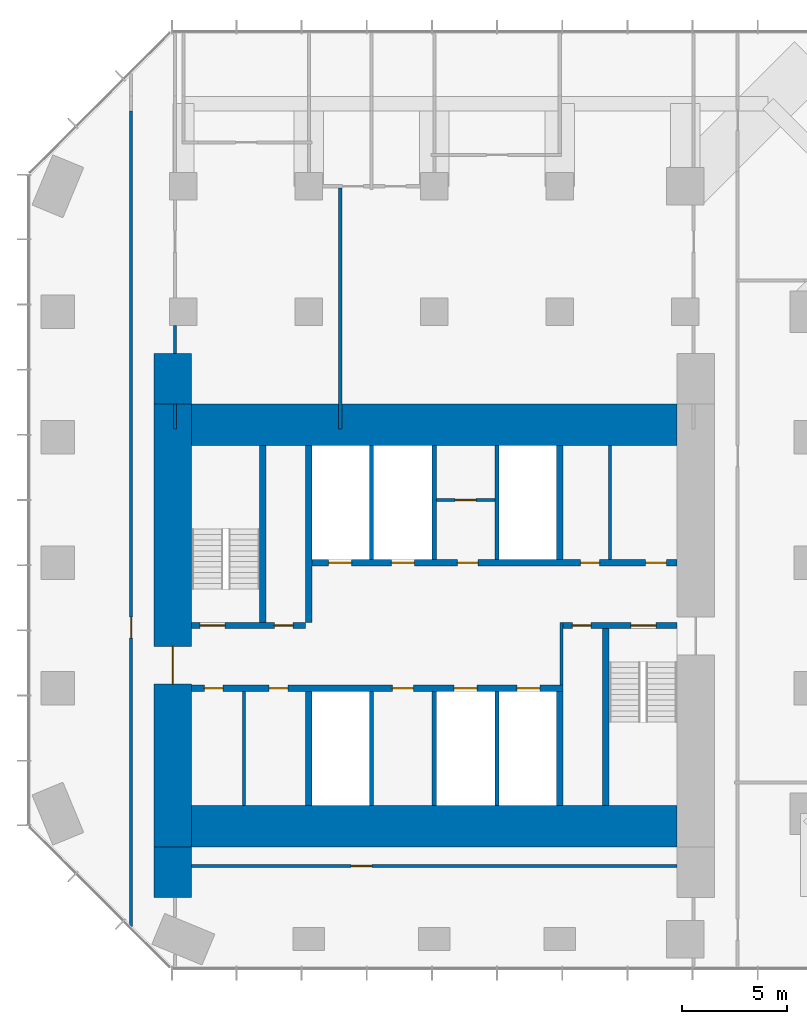
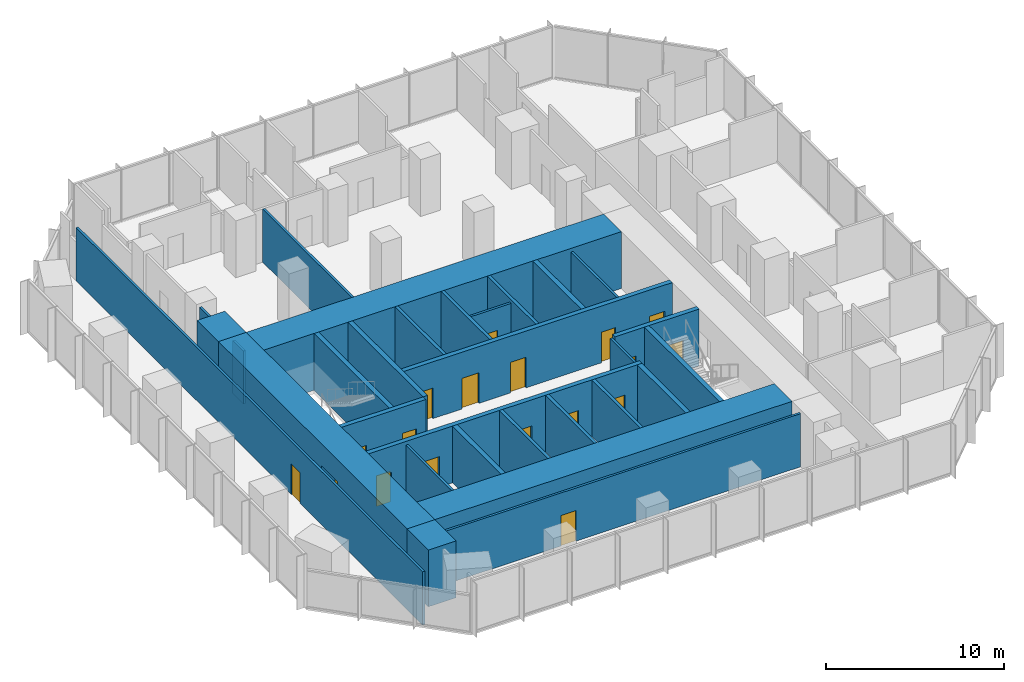
# One storey, part 8 of 11: 30 walls, 18 doors, 18 openings.
"""IFC4 building model written with IfcOpenShell, lengths in metres."""

from ifc_helpers import new_model, si_unit, direction, frame, frame_2d, origin, place, context, subcontext, project, spatial, rectangle, extrude, material, layer, layer_set, type_object, element, fill, save


model = new_model("IFC4")

# Units and contexts
model_context = context("Model", 3, precision=1e-05, world=origin(), true_north=direction((0.0, 1.0)))
body_context = subcontext(model_context, "Body", "Model", "MODEL_VIEW")
ifc_project = project(units=[si_unit("LENGTHUNIT", "METRE"), si_unit("AREAUNIT", "SQUARE_METRE"), si_unit("VOLUMEUNIT", "CUBIC_METRE"), si_unit("PLANEANGLEUNIT", "RADIAN"), si_unit("MASSUNIT", "GRAM", prefix="KILO")], contexts=[model_context])

# Site, building, storey
site_placement = place(None, origin())
site = spatial("IfcSite", under=ifc_project, at=site_placement, CompositionType="ELEMENT")
building_placement = place(site_placement, origin())
building = spatial("IfcBuilding", under=site, at=building_placement, Name="Highveld Stack Headquarters", CompositionType="ELEMENT")
storey_placement = place(building_placement, frame((0.0, 0.0, 185.0)))
storey = spatial("IfcBuildingStorey", under=building, at=storey_placement, Name="L45", CompositionType="ELEMENT", Elevation=185.0)

# Wall, opening, door
ifc_material_1 = material(Name="Concrete C60/75", Category="concrete")
ifc_layer_1 = layer(ifc_material_1, 1.800048828125)
ifc_layer_set_1 = layer_set([ifc_layer_1], Name="Concrete C60/75")
wall_type_1 = type_object("IfcWallType", Name="CORE WALL 1800 C60/75", PredefinedType="SHEAR", material=ifc_layer_set_1)
wall_1_placement = place(storey_placement, frame((-6.5, -7.60009765625, 0.0), z_axis=(0.0, 0.0, 1.0), x_axis=(0.0, 1.0, 0.0)))
wall_1 = element("IfcWall", 1, at=wall_1_placement, inside=storey, type_object=wall_type_1, Name="Core wall W L45", PredefinedType="SHEAR", context=body_context, shape_type="SweptSolid", body=[
    extrude(rectangle(XDim=21.2001953125, YDim=1.800048828125, at=frame_2d((10.60009765625, 0.0))), origin(), (0.0, 0.0, 1.0), 3.89990234375),
])
opening_1_placement = place(wall_1_placement, frame((7.800048828125, 0.0, 0.0)))
opening_1 = element("IfcOpeningElement", 2, at=opening_1_placement, cuts=wall_1, Name="Opening L45-01", PredefinedType="OPENING", context=body_context, shape_type="SweptSolid", body=[
    extrude(rectangle(XDim=1.800048828125, YDim=2.39990234375, at=frame_2d((0.89990234375, 1.199951171875))), frame((0.0, 0.909912109375, 0.0), z_axis=(0.0, -1.0, 0.0), x_axis=(1.0, 0.0, 0.0)), (0.0, 0.0, 1.0), 1.820068359375),
])
ifc_material_2 = material(Name="Steel fire door", Category="steel")
door_type_1 = type_object("IfcDoorType", Name="LOBBY FIRE DOOR D4 1800x2400", OperationType="DOUBLE_DOOR_SINGLE_SWING", PredefinedType="DOOR", material=ifc_material_2)
door_1_placement = place(opening_1_placement, origin())
door_1 = element("IfcDoor", 3, at=door_1_placement, inside=storey, type_object=door_type_1, Name="Core west door L45", OperationType="DOUBLE_DOOR_SINGLE_SWING", OverallHeight=2.39990234375, OverallWidth=1.800048828125, PredefinedType="DOOR", context=body_context, shape_type="SweptSolid", body=[
    extrude(rectangle(XDim=1.800048828125, YDim=2.39990234375, at=frame_2d((0.89990234375, 1.199951171875))), frame((0.0, 0.02490234375, 0.0), z_axis=(0.0, -1.0, 0.0), x_axis=(1.0, 0.0, 0.0)), (0.0, 0.0, 1.0), 0.050048828125),
])
fill(opening_1, door_1)

# Walls
ifc_material_3 = material(Name="Concrete C60/75", Category="concrete")
ifc_layer_2 = layer(ifc_material_3, 2.0)
ifc_layer_set_2 = layer_set([ifc_layer_2], Name="Concrete C60/75")
wall_type_2 = type_object("IfcWallType", Name="CORE WALL 2000 C60/75", PredefinedType="SHEAR", material=ifc_layer_set_2)
for number, where, z_axis, x_axis, name in (
    (4, (-5.60009765625, -6.60009765625, 0.0), (0.0, 0.0, 1.0), (1.0, 0.0, 0.0), "Core wall S L45"),
    (5, (-5.60009765625, 12.60009765625, 0.0), (0.0, 0.0, 1.0), (1.0, 0.0, 0.0), "Core wall N L45"),
):
    element("IfcWall", number, at=place(storey_placement, frame(where, z_axis=z_axis, x_axis=x_axis)), inside=storey, type_object=wall_type_2, Name=name, PredefinedType="SHEAR", context=body_context, shape_type="SweptSolid", body=[
        extrude(rectangle(XDim=23.2001953125, YDim=2.0, at=frame_2d((11.60009765625, 0.0))), origin(), (0.0, 0.0, 1.0), 3.89990234375),
    ])

# Wall, openings, doors
ifc_material_4 = material(Name="Concrete C60/75", Category="concrete")
ifc_layer_3 = layer(ifc_material_4, 0.300048828125)
ifc_layer_set_3 = layer_set([ifc_layer_3], Name="Concrete C60/75")
wall_type_3 = type_object("IfcWallType", Name="CORE WALL 300 C60/75", PredefinedType="SHEAR", material=ifc_layer_set_3)
wall_2_placement = place(storey_placement, frame((-5.60009765625, 0.0, 0.0), z_axis=(0.0, 0.0, 1.0), x_axis=(1.0, 0.0, 0.0)))
wall_2 = element("IfcWall", 6, at=wall_2_placement, inside=storey, type_object=wall_type_3, Name="Core wall I-Y0 L45", PredefinedType="SHEAR", context=body_context, shape_type="SweptSolid", body=[
    extrude(rectangle(XDim=17.75, YDim=0.300048828125, at=frame_2d((8.875, 0.0))), origin(), (0.0, 0.0, 1.0), 3.89990234375),
])
opening_2_placement = place(wall_2_placement, frame((0.60009765625, 0.0, 0.0)))
opening_2 = element("IfcOpeningElement", 7, at=opening_2_placement, cuts=wall_2, Name="Opening L45-07", PredefinedType="OPENING", context=body_context, shape_type="SweptSolid", body=[
    extrude(rectangle(XDim=0.89990234375, YDim=2.10009765625, at=frame_2d((0.449951171875, 1.050048828125))), frame((0.0, 0.159912109375, 0.0), z_axis=(0.0, -1.0, 0.0), x_axis=(1.0, 0.0, 0.0)), (0.0, 0.0, 1.0), 0.320068359375),
])
opening_3_placement = place(wall_2_placement, frame((3.699951171875, 0.0, 0.0)))
opening_3 = element("IfcOpeningElement", 8, at=opening_3_placement, cuts=wall_2, Name="Opening L45-08", PredefinedType="OPENING", context=body_context, shape_type="SweptSolid", body=[
    extrude(rectangle(XDim=0.89990234375, YDim=2.10009765625, at=frame_2d((0.449951171875, 1.050048828125))), frame((0.0, 0.159912109375, 0.0), z_axis=(0.0, -1.0, 0.0), x_axis=(1.0, 0.0, 0.0)), (0.0, 0.0, 1.0), 0.320068359375),
])
opening_4_placement = place(wall_2_placement, frame((9.60009765625, 0.0, 0.0)))
opening_4 = element("IfcOpeningElement", 9, at=opening_4_placement, cuts=wall_2, Name="Opening L45-13", PredefinedType="OPENING", context=body_context, shape_type="SweptSolid", body=[
    extrude(rectangle(XDim=1.0, YDim=2.10009765625, at=frame_2d((0.5, 1.050048828125))), frame((0.0, 0.159912109375, 0.0), z_axis=(0.0, -1.0, 0.0), x_axis=(1.0, 0.0, 0.0)), (0.0, 0.0, 1.0), 0.320068359375),
])
opening_5_placement = place(wall_2_placement, frame((12.550048828125, 0.0, 0.0)))
opening_5 = element("IfcOpeningElement", 10, at=opening_5_placement, cuts=wall_2, Name="Opening LD", PredefinedType="OPENING", context=body_context, shape_type="SweptSolid", body=[
    extrude(rectangle(XDim=1.10009765625, YDim=2.10009765625, at=frame_2d((0.550048828125, 1.050048828125))), frame((0.0, 0.159912109375, 0.0), z_axis=(0.0, -1.0, 0.0), x_axis=(1.0, 0.0, 0.0)), (0.0, 0.0, 1.0), 0.320068359375),
])
opening_6_placement = place(wall_2_placement, frame((15.550048828125, 0.0, 0.0)))
opening_6 = element("IfcOpeningElement", 11, at=opening_6_placement, cuts=wall_2, Name="Opening LD", PredefinedType="OPENING", context=body_context, shape_type="SweptSolid", body=[
    extrude(rectangle(XDim=1.10009765625, YDim=2.10009765625, at=frame_2d((0.550048828125, 1.050048828125))), frame((0.0, 0.159912109375, 0.0), z_axis=(0.0, -1.0, 0.0), x_axis=(1.0, 0.0, 0.0)), (0.0, 0.0, 1.0), 0.320068359375),
])
ifc_material_5 = material(Name="Steel fire door", Category="steel")
door_type_2 = type_object("IfcDoorType", Name="CORE ROOM FIRE DOOR D14 1000x2100", OperationType="SINGLE_SWING_LEFT", PredefinedType="DOOR", material=ifc_material_5)
door_2_placement = place(opening_4_placement, origin())
door_2 = element("IfcDoor", 12, at=door_2_placement, inside=storey, type_object=door_type_2, Name="Capped B 1 door L45", OperationType="SINGLE_SWING_RIGHT", OverallHeight=2.10009765625, OverallWidth=1.0, PredefinedType="DOOR", context=body_context, shape_type="SweptSolid", body=[
    extrude(rectangle(XDim=1.0, YDim=2.10009765625, at=frame_2d((0.5, 1.050048828125))), frame((0.0, 0.02490234375, 0.0), z_axis=(0.0, -1.0, 0.0), x_axis=(1.0, 0.0, 0.0)), (0.0, 0.0, 1.0), 0.050048828125),
])
fill(opening_4, door_2)
ifc_material_6 = material(Name="Stainless steel lift landing door", Category="steel")
door_type_3 = type_object("IfcDoorType", Name="LIFT LANDING DOOR LD 1100x2100", OperationType="DOUBLE_DOOR_SLIDING", PredefinedType="USERDEFINED", material=ifc_material_6)
door_3_placement = place(opening_5_placement, origin())
door_3 = element("IfcDoor", 13, at=door_3_placement, inside=storey, type_object=door_type_3, Name="Lift landing door C1 L45", ObjectType="LIFT LANDING DOOR", OperationType="DOUBLE_DOOR_SLIDING", OverallHeight=2.10009765625, OverallWidth=1.10009765625, PredefinedType="USERDEFINED", context=body_context, shape_type="SweptSolid", body=[
    extrude(rectangle(XDim=1.10009765625, YDim=2.10009765625, at=frame_2d((0.550048828125, 1.050048828125))), frame((0.0, 0.02490234375, 0.0), z_axis=(0.0, -1.0, 0.0), x_axis=(1.0, 0.0, 0.0)), (0.0, 0.0, 1.0), 0.050048828125),
])
fill(opening_5, door_3)
door_4_placement = place(opening_6_placement, origin())
door_4 = element("IfcDoor", 14, at=door_4_placement, inside=storey, type_object=door_type_3, Name="Lift landing door C2 L45", ObjectType="LIFT LANDING DOOR", OperationType="DOUBLE_DOOR_SLIDING", OverallHeight=2.10009765625, OverallWidth=1.10009765625, PredefinedType="USERDEFINED", context=body_context, shape_type="SweptSolid", body=[
    extrude(rectangle(XDim=1.10009765625, YDim=2.10009765625, at=frame_2d((0.550048828125, 1.050048828125))), frame((0.0, 0.02490234375, 0.0), z_axis=(0.0, -1.0, 0.0), x_axis=(1.0, 0.0, 0.0)), (0.0, 0.0, 1.0), 0.050048828125),
])
fill(opening_6, door_4)
ifc_material_7 = material(Name="Timber door, painted", Category="wood")
door_type_4 = type_object("IfcDoorType", Name="WC DOOR D1 900x2100", OperationType="SINGLE_SWING_LEFT", PredefinedType="DOOR", material=ifc_material_7)
door_5_placement = place(opening_2_placement, origin())
door_5 = element("IfcDoor", 15, at=door_5_placement, inside=storey, type_object=door_type_4, Name="Female WC door L45", OperationType="SINGLE_SWING_LEFT", OverallHeight=2.10009765625, OverallWidth=0.89990234375, PredefinedType="DOOR", context=body_context, shape_type="SweptSolid", body=[
    extrude(rectangle(XDim=0.89990234375, YDim=2.10009765625, at=frame_2d((0.449951171875, 1.050048828125))), frame((0.0, 0.02490234375, 0.0), z_axis=(0.0, -1.0, 0.0), x_axis=(1.0, 0.0, 0.0)), (0.0, 0.0, 1.0), 0.050048828125),
])
fill(opening_2, door_5)
door_6_placement = place(opening_3_placement, origin())
door_6 = element("IfcDoor", 16, at=door_6_placement, inside=storey, type_object=door_type_4, Name="Shower and changing room door L45", OperationType="SINGLE_SWING_LEFT", OverallHeight=2.10009765625, OverallWidth=0.89990234375, PredefinedType="DOOR", context=body_context, shape_type="SweptSolid", body=[
    extrude(rectangle(XDim=0.89990234375, YDim=2.10009765625, at=frame_2d((0.449951171875, 1.050048828125))), frame((0.0, 0.02490234375, 0.0), z_axis=(0.0, -1.0, 0.0), x_axis=(1.0, 0.0, 0.0)), (0.0, 0.0, 1.0), 0.050048828125),
])
fill(opening_3, door_6)

wall_3_placement = place(storey_placement, frame((-5.60009765625, 3.0, 0.0), z_axis=(0.0, 0.0, 1.0), x_axis=(1.0, 0.0, 0.0)))
wall_3 = element("IfcWall", 17, at=wall_3_placement, inside=storey, type_object=wall_type_3, Name="Core wall I-Y3W L45", PredefinedType="SHEAR", context=body_context, shape_type="SweptSolid", body=[
    extrude(rectangle(XDim=5.4501953125, YDim=0.300048828125, at=frame_2d((2.72509765625, 0.0))), origin(), (0.0, 0.0, 1.0), 3.89990234375),
])
opening_7_placement = place(wall_3_placement, frame((0.39990234375, 0.0, 0.0)))
opening_7 = element("IfcOpeningElement", 18, at=opening_7_placement, cuts=wall_3, Name="Opening L45-03", PredefinedType="OPENING", context=body_context, shape_type="SweptSolid", body=[
    extrude(rectangle(XDim=1.199951171875, YDim=2.10009765625, at=frame_2d((0.60009765625, 1.050048828125))), frame((0.0, 0.159912109375, 0.0), z_axis=(0.0, -1.0, 0.0), x_axis=(1.0, 0.0, 0.0)), (0.0, 0.0, 1.0), 0.320068359375),
])
opening_8_placement = place(wall_3_placement, frame((3.949951171875, 0.0, 0.0)))
opening_8 = element("IfcOpeningElement", 19, at=opening_8_placement, cuts=wall_3, Name="Opening L45-04", PredefinedType="OPENING", context=body_context, shape_type="SweptSolid", body=[
    extrude(rectangle(XDim=0.89990234375, YDim=2.10009765625, at=frame_2d((0.449951171875, 1.050048828125))), frame((0.0, 0.159912109375, 0.0), z_axis=(0.0, -1.0, 0.0), x_axis=(1.0, 0.0, 0.0)), (0.0, 0.0, 1.0), 0.320068359375),
])
ifc_material_8 = material(Name="Steel fire door", Category="steel")
door_type_5 = type_object("IfcDoorType", Name="RISER ACCESS DOOR D5 900x2100", OperationType="SINGLE_SWING_LEFT", PredefinedType="DOOR", material=ifc_material_8)
door_7_placement = place(opening_8_placement, origin())
door_7 = element("IfcDoor", 20, at=door_7_placement, inside=storey, type_object=door_type_5, Name="Riser R1 door L45", OperationType="SINGLE_SWING_RIGHT", OverallHeight=2.10009765625, OverallWidth=0.89990234375, PredefinedType="DOOR", context=body_context, shape_type="SweptSolid", body=[
    extrude(rectangle(XDim=0.89990234375, YDim=2.10009765625, at=frame_2d((0.449951171875, 1.050048828125))), frame((0.0, 0.02490234375, 0.0), z_axis=(0.0, -1.0, 0.0), x_axis=(1.0, 0.0, 0.0)), (0.0, 0.0, 1.0), 0.050048828125),
])
fill(opening_8, door_7)
ifc_material_9 = material(Name="Steel fire door", Category="steel")
door_type_6 = type_object("IfcDoorType", Name="STAIR FIRE DOOR D3 1200x2100", OperationType="SINGLE_SWING_LEFT", PredefinedType="DOOR", material=ifc_material_9)
door_8_placement = place(opening_7_placement, origin())
door_8 = element("IfcDoor", 21, at=door_8_placement, inside=storey, type_object=door_type_6, Name="Stair S1 door L45", OperationType="SINGLE_SWING_LEFT", OverallHeight=2.10009765625, OverallWidth=1.199951171875, PredefinedType="DOOR", context=body_context, shape_type="SweptSolid", body=[
    extrude(rectangle(XDim=1.199951171875, YDim=2.10009765625, at=frame_2d((0.60009765625, 1.050048828125))), frame((0.0, 0.02490234375, 0.0), z_axis=(0.0, -1.0, 0.0), x_axis=(1.0, 0.0, 0.0)), (0.0, 0.0, 1.0), 0.050048828125),
])
fill(opening_7, door_8)

wall_4_placement = place(storey_placement, frame((12.14990234375, 3.0, 0.0), z_axis=(0.0, 0.0, 1.0), x_axis=(1.0, 0.0, 0.0)))
wall_4 = element("IfcWall", 22, at=wall_4_placement, inside=storey, type_object=wall_type_3, Name="Core wall I-Y3E L45", PredefinedType="SHEAR", context=body_context, shape_type="SweptSolid", body=[
    extrude(rectangle(XDim=5.4501953125, YDim=0.300048828125, at=frame_2d((2.72509765625, 0.0))), origin(), (0.0, 0.0, 1.0), 3.89990234375),
])
opening_9_placement = place(wall_4_placement, frame((3.25, 0.0, 0.0)))
opening_9 = element("IfcOpeningElement", 23, at=opening_9_placement, cuts=wall_4, Name="Opening L45-05", PredefinedType="OPENING", context=body_context, shape_type="SweptSolid", body=[
    extrude(rectangle(XDim=1.199951171875, YDim=2.10009765625, at=frame_2d((0.60009765625, 1.050048828125))), frame((0.0, 0.159912109375, 0.0), z_axis=(0.0, -1.0, 0.0), x_axis=(1.0, 0.0, 0.0)), (0.0, 0.0, 1.0), 0.320068359375),
])
opening_10_placement = place(wall_4_placement, frame((0.449951171875, 0.0, 0.0)))
opening_10 = element("IfcOpeningElement", 24, at=opening_10_placement, cuts=wall_4, Name="Opening L45-06", PredefinedType="OPENING", context=body_context, shape_type="SweptSolid", body=[
    extrude(rectangle(XDim=0.89990234375, YDim=2.10009765625, at=frame_2d((0.449951171875, 1.050048828125))), frame((0.0, 0.159912109375, 0.0), z_axis=(0.0, -1.0, 0.0), x_axis=(1.0, 0.0, 0.0)), (0.0, 0.0, 1.0), 0.320068359375),
])
door_9_placement = place(opening_10_placement, origin())
door_9 = element("IfcDoor", 25, at=door_9_placement, inside=storey, type_object=door_type_5, Name="Riser R2 door L45", OperationType="SINGLE_SWING_LEFT", OverallHeight=2.10009765625, OverallWidth=0.89990234375, PredefinedType="DOOR", context=body_context, shape_type="SweptSolid", body=[
    extrude(rectangle(XDim=0.89990234375, YDim=2.10009765625, at=frame_2d((0.449951171875, 1.050048828125))), frame((0.0, 0.02490234375, 0.0), z_axis=(0.0, -1.0, 0.0), x_axis=(1.0, 0.0, 0.0)), (0.0, 0.0, 1.0), 0.050048828125),
])
fill(opening_10, door_9)
door_10_placement = place(opening_9_placement, origin())
door_10 = element("IfcDoor", 26, at=door_10_placement, inside=storey, type_object=door_type_6, Name="Stair S2 door L45", OperationType="SINGLE_SWING_RIGHT", OverallHeight=2.10009765625, OverallWidth=1.199951171875, PredefinedType="DOOR", context=body_context, shape_type="SweptSolid", body=[
    extrude(rectangle(XDim=1.199951171875, YDim=2.10009765625, at=frame_2d((0.60009765625, 1.050048828125))), frame((0.0, 0.02490234375, 0.0), z_axis=(0.0, -1.0, 0.0), x_axis=(1.0, 0.0, 0.0)), (0.0, 0.0, 1.0), 0.050048828125),
])
fill(opening_9, door_10)

wall_5_placement = place(storey_placement, frame((-0.14990234375, 6.0, 0.0), z_axis=(0.0, 0.0, 1.0), x_axis=(1.0, 0.0, 0.0)))
wall_5 = element("IfcWall", 27, at=wall_5_placement, inside=storey, type_object=wall_type_3, Name="Core wall I-Y6 L45", PredefinedType="SHEAR", context=body_context, shape_type="SweptSolid", body=[
    extrude(rectangle(XDim=17.75, YDim=0.300048828125, at=frame_2d((8.875, 0.0))), origin(), (0.0, 0.0, 1.0), 3.89990234375),
])
opening_11_placement = place(wall_5_placement, frame((13.14990234375, 0.0, 0.0)))
opening_11 = element("IfcOpeningElement", 28, at=opening_11_placement, cuts=wall_5, Name="Opening L45-09", PredefinedType="OPENING", context=body_context, shape_type="SweptSolid", body=[
    extrude(rectangle(XDim=0.89990234375, YDim=2.10009765625, at=frame_2d((0.449951171875, 1.050048828125))), frame((0.0, 0.159912109375, 0.0), z_axis=(0.0, -1.0, 0.0), x_axis=(1.0, 0.0, 0.0)), (0.0, 0.0, 1.0), 0.320068359375),
])
opening_12_placement = place(wall_5_placement, frame((16.25, 0.0, 0.0)))
opening_12 = element("IfcOpeningElement", 29, at=opening_12_placement, cuts=wall_5, Name="Opening L45-10", PredefinedType="OPENING", context=body_context, shape_type="SweptSolid", body=[
    extrude(rectangle(XDim=1.0, YDim=2.10009765625, at=frame_2d((0.5, 1.050048828125))), frame((0.0, 0.159912109375, 0.0), z_axis=(0.0, -1.0, 0.0), x_axis=(1.0, 0.0, 0.0)), (0.0, 0.0, 1.0), 0.320068359375),
])
opening_13_placement = place(wall_5_placement, frame((7.25, 0.0, 0.0)))
opening_13 = element("IfcOpeningElement", 30, at=opening_13_placement, cuts=wall_5, Name="Opening L45-12", PredefinedType="OPENING", context=body_context, shape_type="SweptSolid", body=[
    extrude(rectangle(XDim=1.0, YDim=2.10009765625, at=frame_2d((0.5, 1.050048828125))), frame((0.0, 0.159912109375, 0.0), z_axis=(0.0, -1.0, 0.0), x_axis=(1.0, 0.0, 0.0)), (0.0, 0.0, 1.0), 0.320068359375),
])
opening_14_placement = place(wall_5_placement, frame((1.10009765625, 0.0, 0.0)))
opening_14 = element("IfcOpeningElement", 31, at=opening_14_placement, cuts=wall_5, Name="Opening LD", PredefinedType="OPENING", context=body_context, shape_type="SweptSolid", body=[
    extrude(rectangle(XDim=1.10009765625, YDim=2.10009765625, at=frame_2d((0.550048828125, 1.050048828125))), frame((0.0, 0.159912109375, 0.0), z_axis=(0.0, -1.0, 0.0), x_axis=(1.0, 0.0, 0.0)), (0.0, 0.0, 1.0), 0.320068359375),
])
opening_15_placement = place(wall_5_placement, frame((4.10009765625, 0.0, 0.0)))
opening_15 = element("IfcOpeningElement", 32, at=opening_15_placement, cuts=wall_5, Name="Opening LD", PredefinedType="OPENING", context=body_context, shape_type="SweptSolid", body=[
    extrude(rectangle(XDim=1.10009765625, YDim=2.10009765625, at=frame_2d((0.550048828125, 1.050048828125))), frame((0.0, 0.159912109375, 0.0), z_axis=(0.0, -1.0, 0.0), x_axis=(1.0, 0.0, 0.0)), (0.0, 0.0, 1.0), 0.320068359375),
])
ifc_material_10 = material(Name="Timber door, painted", Category="wood")
door_type_7 = type_object("IfcDoorType", Name="ACCESSIBLE WC DOOR D2 1000x2100", OperationType="SINGLE_SWING_RIGHT", PredefinedType="DOOR", material=ifc_material_10)
door_11_placement = place(opening_12_placement, origin())
door_11 = element("IfcDoor", 33, at=door_11_placement, inside=storey, type_object=door_type_7, Name="Accessible WC door L45", OperationType="SINGLE_SWING_RIGHT", OverallHeight=2.10009765625, OverallWidth=1.0, PredefinedType="DOOR", context=body_context, shape_type="SweptSolid", body=[
    extrude(rectangle(XDim=1.0, YDim=2.10009765625, at=frame_2d((0.5, 1.050048828125))), frame((0.0, 0.02490234375, 0.0), z_axis=(0.0, -1.0, 0.0), x_axis=(1.0, 0.0, 0.0)), (0.0, 0.0, 1.0), 0.050048828125),
])
fill(opening_12, door_11)
door_12_placement = place(opening_13_placement, origin())
door_12 = element("IfcDoor", 34, at=door_12_placement, inside=storey, type_object=door_type_2, Name="Capped A 1 door L45", OperationType="SINGLE_SWING_LEFT", OverallHeight=2.10009765625, OverallWidth=1.0, PredefinedType="DOOR", context=body_context, shape_type="SweptSolid", body=[
    extrude(rectangle(XDim=1.0, YDim=2.10009765625, at=frame_2d((0.5, 1.050048828125))), frame((0.0, 0.02490234375, 0.0), z_axis=(0.0, -1.0, 0.0), x_axis=(1.0, 0.0, 0.0)), (0.0, 0.0, 1.0), 0.050048828125),
])
fill(opening_13, door_12)
door_13_placement = place(opening_14_placement, origin())
door_13 = element("IfcDoor", 35, at=door_13_placement, inside=storey, type_object=door_type_3, Name="Lift landing door FF1 L45", ObjectType="LIFT LANDING DOOR", OperationType="DOUBLE_DOOR_SLIDING", OverallHeight=2.10009765625, OverallWidth=1.10009765625, PredefinedType="USERDEFINED", context=body_context, shape_type="SweptSolid", body=[
    extrude(rectangle(XDim=1.10009765625, YDim=2.10009765625, at=frame_2d((0.550048828125, 1.050048828125))), frame((0.0, 0.02490234375, 0.0), z_axis=(0.0, -1.0, 0.0), x_axis=(1.0, 0.0, 0.0)), (0.0, 0.0, 1.0), 0.050048828125),
])
fill(opening_14, door_13)
door_14_placement = place(opening_15_placement, origin())
door_14 = element("IfcDoor", 36, at=door_14_placement, inside=storey, type_object=door_type_3, Name="Lift landing door FF2 L45", ObjectType="LIFT LANDING DOOR", OperationType="DOUBLE_DOOR_SLIDING", OverallHeight=2.10009765625, OverallWidth=1.10009765625, PredefinedType="USERDEFINED", context=body_context, shape_type="SweptSolid", body=[
    extrude(rectangle(XDim=1.10009765625, YDim=2.10009765625, at=frame_2d((0.550048828125, 1.050048828125))), frame((0.0, 0.02490234375, 0.0), z_axis=(0.0, -1.0, 0.0), x_axis=(1.0, 0.0, 0.0)), (0.0, 0.0, 1.0), 0.050048828125),
])
fill(opening_15, door_14)
door_15_placement = place(opening_11_placement, origin())
door_15 = element("IfcDoor", 37, at=door_15_placement, inside=storey, type_object=door_type_4, Name="Male WC door L45", OperationType="SINGLE_SWING_RIGHT", OverallHeight=2.10009765625, OverallWidth=0.89990234375, PredefinedType="DOOR", context=body_context, shape_type="SweptSolid", body=[
    extrude(rectangle(XDim=0.89990234375, YDim=2.10009765625, at=frame_2d((0.449951171875, 1.050048828125))), frame((0.0, 0.02490234375, 0.0), z_axis=(0.0, -1.0, 0.0), x_axis=(1.0, 0.0, 0.0)), (0.0, 0.0, 1.0), 0.050048828125),
])
fill(opening_11, door_15)

# Walls
wall_6_placement = place(storey_placement, frame((0.0, -5.60009765625, 0.0), z_axis=(0.0, 0.0, 1.0), x_axis=(0.0, 1.0, 0.0)))
element("IfcWall", 38, at=wall_6_placement, inside=storey, type_object=wall_type_3, Name="Core wall I-X0S L45", PredefinedType="SHEAR", context=body_context, shape_type="SweptSolid", body=[
    extrude(rectangle(XDim=5.4501953125, YDim=0.300048828125, at=frame_2d((2.72509765625, 0.0))), origin(), (0.0, 0.0, 1.0), 3.89990234375),
])
wall_7_placement = place(storey_placement, frame((0.0, 3.14990234375, 0.0), z_axis=(0.0, 0.0, 1.0), x_axis=(0.0, 1.0, 0.0)))
element("IfcWall", 39, at=wall_7_placement, inside=storey, type_object=wall_type_3, Name="Core wall I-X0N L45", PredefinedType="SHEAR", context=body_context, shape_type="SweptSolid", body=[
    extrude(rectangle(XDim=8.4501953125, YDim=0.300048828125, at=frame_2d((4.22509765625, 0.0))), origin(), (0.0, 0.0, 1.0), 3.89990234375),
])
for number, where, z_axis, x_axis, name in (
    (40, (12.0, -5.60009765625, 0.0), (0.0, 0.0, 1.0), (0.0, 1.0, 0.0), "Core wall I-X12S L45"),
    (41, (12.0, 6.14990234375, 0.0), (0.0, 0.0, 1.0), (0.0, 1.0, 0.0), "Core wall I-X12N L45"),
):
    element("IfcWall", number, at=place(storey_placement, frame(where, z_axis=z_axis, x_axis=x_axis)), inside=storey, type_object=wall_type_3, Name=name, PredefinedType="SHEAR", context=body_context, shape_type="SweptSolid", body=[
        extrude(rectangle(XDim=5.4501953125, YDim=0.300048828125, at=frame_2d((2.72509765625, 0.0))), origin(), (0.0, 0.0, 1.0), 3.89990234375),
    ])
for number, where, z_axis, x_axis, name in (
    (42, (-2.199951171875, 3.14990234375, 0.0), (0.0, 0.0, 1.0), (0.0, 1.0, 0.0), "Core wall I-RW L45"),
    (43, (14.199951171875, -5.60009765625, 0.0), (0.0, 0.0, 1.0), (0.0, 1.0, 0.0), "Core wall I-RE L45"),
):
    element("IfcWall", number, at=place(storey_placement, frame(where, z_axis=z_axis, x_axis=x_axis)), inside=storey, type_object=wall_type_3, Name=name, PredefinedType="SHEAR", context=body_context, shape_type="SweptSolid", body=[
        extrude(rectangle(XDim=8.4501953125, YDim=0.300048828125, at=frame_2d((4.22509765625, 0.0))), origin(), (0.0, 0.0, 1.0), 3.89990234375),
    ])
ifc_material_11 = material(Name="Concrete C60/75", Category="concrete")
ifc_layer_4 = layer(ifc_material_11, 1.800048828125)
ifc_layer_set_4 = layer_set([ifc_layer_4], Name="Concrete C60/75")
wall_type_4 = type_object("IfcWallType", Name="CORE WING WALL 1800 C60/75", PredefinedType="SHEAR", material=ifc_layer_set_4)
for number, where, z_axis, x_axis, name in (
    (44, (-6.5, -10.0, 0.0), (0.0, 0.0, 1.0), (0.0, 1.0, 0.0), "Core wing wall WS L45"),
    (45, (-6.5, 13.60009765625, 0.0), (0.0, 0.0, 1.0), (0.0, 1.0, 0.0), "Core wing wall WN L45"),
):
    element("IfcWall", number, at=place(storey_placement, frame(where, z_axis=z_axis, x_axis=x_axis)), inside=storey, type_object=wall_type_4, Name=name, PredefinedType="SHEAR", context=body_context, shape_type="SweptSolid", body=[
        extrude(rectangle(XDim=2.39990234375, YDim=1.800048828125, at=frame_2d((1.199951171875, 0.0))), origin(), (0.0, 0.0, 1.0), 3.89990234375),
    ])

# Wall, opening, door
ifc_material_12 = material(Name="Concrete blockwork, plastered", Category="masonry")
ifc_layer_5 = layer(ifc_material_12, 0.14990234375)
ifc_layer_set_5 = layer_set([ifc_layer_5], Name="Concrete blockwork, plastered")
wall_type_5 = type_object("IfcWallType", Name="FIRE PARTITION 150 BLOCKWORK", PredefinedType="PARTITIONING", material=ifc_layer_set_5)
wall_8_placement = place(storey_placement, frame((6.10009765625, 9.0, 0.0), z_axis=(0.0, 0.0, 1.0), x_axis=(1.0, 0.0, 0.0)))
wall_8 = element("IfcWall", 46, at=wall_8_placement, inside=storey, type_object=wall_type_5, Name="Core room partition L45", PredefinedType="PARTITIONING", context=body_context, shape_type="SweptSolid", body=[
    extrude(rectangle(XDim=2.7998046875, YDim=0.14990234375, at=frame_2d((1.39990234375, 0.0))), origin(), (0.0, 0.0, 1.0), 3.64990234375),
])
opening_16_placement = place(wall_8_placement, frame((0.89990234375, 0.0, 0.0)))
opening_16 = element("IfcOpeningElement", 47, at=opening_16_placement, cuts=wall_8, Name="Opening L45-11", PredefinedType="OPENING", context=body_context, shape_type="SweptSolid", body=[
    extrude(rectangle(XDim=1.0, YDim=2.10009765625, at=frame_2d((0.5, 1.050048828125))), frame((0.0, 0.0849609375, 0.0), z_axis=(0.0, -1.0, 0.0), x_axis=(1.0, 0.0, 0.0)), (0.0, 0.0, 1.0), 0.169921875),
])
door_16_placement = place(opening_16_placement, origin())
door_16 = element("IfcDoor", 48, at=door_16_placement, inside=storey, type_object=door_type_2, Name="Capped A 2 door L45", OperationType="SINGLE_SWING_LEFT", OverallHeight=2.10009765625, OverallWidth=1.0, PredefinedType="DOOR", context=body_context, shape_type="SweptSolid", body=[
    extrude(rectangle(XDim=1.0, YDim=2.10009765625, at=frame_2d((0.5, 1.050048828125))), frame((0.0, 0.02490234375, 0.0), z_axis=(0.0, -1.0, 0.0), x_axis=(1.0, 0.0, 0.0)), (0.0, 0.0, 1.0), 0.050048828125),
])
fill(opening_16, door_16)

# Walls
wall_9_placement = place(storey_placement, frame((12.074951171875, 0.14990234375, 0.0), z_axis=(0.0, 0.0, 1.0), x_axis=(0.0, 1.0, 0.0)))
element("IfcWall", 49, at=wall_9_placement, inside=storey, type_object=wall_type_5, Name="Riser R2 enclosure L45", PredefinedType="PARTITIONING", context=body_context, shape_type="SweptSolid", body=[
    extrude(rectangle(XDim=3.0, YDim=0.14990234375, at=frame_2d((1.5, 0.0))), origin(), (0.0, 0.0, 1.0), 3.64990234375),
])
ifc_material_13 = material(Name="Concrete blockwork, fair-faced", Category="masonry")
ifc_layer_6 = layer(ifc_material_13, 0.199951171875)
ifc_layer_set_6 = layer_set([ifc_layer_6], Name="Concrete blockwork, fair-faced")
wall_type_6 = type_object("IfcWallType", Name="LIFT SHAFT ENCLOSURE WALL 200 BLOCKWORK", PredefinedType="SOLIDWALL", material=ifc_layer_set_6)
for number, where, z_axis, x_axis, name in (
    (50, (3.0, 6.14990234375, 0.0), (0.0, 0.0, 1.0), (0.0, 1.0, 0.0), "Lift shaft wall L45"),
    (51, (6.0, 6.14990234375, 0.0), (0.0, 0.0, 1.0), (0.0, 1.0, 0.0), "Lift shaft wall L45"),
    (52, (9.0, 6.14990234375, 0.0), (0.0, 0.0, 1.0), (0.0, 1.0, 0.0), "Lift shaft wall L45"),
    (53, (3.0, -5.60009765625, 0.0), (0.0, 0.0, 1.0), (0.0, 1.0, 0.0), "Lift shaft wall L45"),
    (54, (6.0, -5.60009765625, 0.0), (0.0, 0.0, 1.0), (0.0, 1.0, 0.0), "Lift shaft wall L45"),
    (55, (9.0, -5.60009765625, 0.0), (0.0, 0.0, 1.0), (0.0, 1.0, 0.0), "Lift shaft wall L45"),
):
    element("IfcWall", number, at=place(storey_placement, frame(where, z_axis=z_axis, x_axis=x_axis)), inside=storey, type_object=wall_type_6, Name=name, PredefinedType="SOLIDWALL", context=body_context, shape_type="SweptSolid", body=[
        extrude(rectangle(XDim=5.4501953125, YDim=0.199951171875, at=frame_2d((2.72509765625, 0.0))), origin(), (0.0, 0.0, 1.0), 3.89990234375),
    ])

# Wall, opening, door
ifc_material_14 = material(Name="Gypsum plasterboard on steel studs", Category="steel")
ifc_layer_7 = layer(ifc_material_14, 0.14990234375)
ifc_layer_set_7 = layer_set([ifc_layer_7], Name="Gypsum plasterboard on steel studs")
wall_type_7 = type_object("IfcWallType", Name="PARTITION 150 PLASTERBOARD", PredefinedType="PARTITIONING", material=ifc_layer_set_7)
wall_10_placement = place(storey_placement, frame((-8.5, -11.387939453125, 0.0), z_axis=(0.0, 0.0, 1.0), x_axis=(0.0, 1.0, 0.0)))
wall_10 = element("IfcWall", 56, at=wall_10_placement, inside=storey, type_object=wall_type_7, Name="Partition office neighbourhood L45", PredefinedType="PARTITIONING", context=body_context, shape_type="SweptSolid", body=[
    extrude(rectangle(XDim=38.97802734375, YDim=0.14990234375, at=frame_2d((19.489013671875, 0.0))), origin(), (0.0, 0.0, 1.0), 3.64990234375),
])
opening_17_placement = place(wall_10_placement, frame((13.787109375, 0.0, 0.0)))
opening_17 = element("IfcOpeningElement", 57, at=opening_17_placement, cuts=wall_10, Name="Opening L45-24", PredefinedType="OPENING", context=body_context, shape_type="SweptSolid", body=[
    extrude(rectangle(XDim=1.0, YDim=2.10009765625, at=frame_2d((0.5, 1.050048828125))), frame((0.0, 0.0849609375, 0.0), z_axis=(0.0, -1.0, 0.0), x_axis=(1.0, 0.0, 0.0)), (0.0, 0.0, 1.0), 0.169921875),
])
ifc_material_15 = material(Name="Timber door, oiled ash", Category="wood")
door_type_8 = type_object("IfcDoorType", Name="ROOM DOOR D6 1000x2100", OperationType="SINGLE_SWING_LEFT", PredefinedType="DOOR", material=ifc_material_15)
door_17_placement = place(opening_17_placement, origin())
door_17 = element("IfcDoor", 58, at=door_17_placement, inside=storey, type_object=door_type_8, Name="Office neighbourhood door L45", OperationType="SINGLE_SWING_LEFT", OverallHeight=2.10009765625, OverallWidth=1.0, PredefinedType="DOOR", context=body_context, shape_type="SweptSolid", body=[
    extrude(rectangle(XDim=1.0, YDim=2.10009765625, at=frame_2d((0.5, 1.050048828125))), frame((0.0, 0.02490234375, 0.0), z_axis=(0.0, -1.0, 0.0), x_axis=(1.0, 0.0, 0.0)), (0.0, 0.0, 1.0), 0.050048828125),
])
fill(opening_17, door_17)

# Walls
wall_11_placement = place(storey_placement, frame((-6.39990234375, 12.39990234375, 0.0), z_axis=(0.0, 0.0, 1.0), x_axis=(0.0, 1.0, 0.0)))
element("IfcWall", 59, at=wall_11_placement, inside=storey, type_object=wall_type_7, Name="Partition office neighbourhood L45", PredefinedType="PARTITIONING", context=body_context, shape_type="SweptSolid", body=[
    extrude(rectangle(XDim=1.2001953125, YDim=0.14990234375, at=frame_2d((0.60009765625, 0.0))), origin(), (0.0, 0.0, 1.0), 3.64990234375),
])
wall_12_placement = place(storey_placement, frame((-6.39990234375, 16.0, 0.0), z_axis=(0.0, 0.0, 1.0), x_axis=(0.0, 1.0, 0.0)))
element("IfcWall", 60, at=wall_12_placement, inside=storey, type_object=wall_type_7, Name="Partition office neighbourhood L45", PredefinedType="PARTITIONING", context=body_context, shape_type="SweptSolid", body=[
    extrude(rectangle(XDim=1.35009765625, YDim=0.14990234375, at=frame_2d((0.675048828125, 0.0))), origin(), (0.0, 0.0, 1.0), 3.64990234375),
])

# Wall, opening, door
wall_13_placement = place(storey_placement, frame((17.60009765625, -8.5, 0.0), z_axis=(0.0, 0.0, 1.0), x_axis=(-1.0, 0.0, 0.0)))
wall_13 = element("IfcWall", 61, at=wall_13_placement, inside=storey, type_object=wall_type_7, Name="Partition office neighbourhood L45", PredefinedType="PARTITIONING", context=body_context, shape_type="SweptSolid", body=[
    extrude(rectangle(XDim=23.2001953125, YDim=0.14990234375, at=frame_2d((11.60009765625, 0.0))), origin(), (0.0, 0.0, 1.0), 3.64990234375),
])
opening_18_placement = place(wall_13_placement, frame((14.580078125, 0.0, 0.0)))
opening_18 = element("IfcOpeningElement", 62, at=opening_18_placement, cuts=wall_13, Name="Opening L45-28", PredefinedType="OPENING", context=body_context, shape_type="SweptSolid", body=[
    extrude(rectangle(XDim=1.0, YDim=2.10009765625, at=frame_2d((0.5, 1.050048828125))), frame((0.0, 0.0849609375, 0.0), z_axis=(0.0, -1.0, 0.0), x_axis=(1.0, 0.0, 0.0)), (0.0, 0.0, 1.0), 0.169921875),
])
door_18_placement = place(opening_18_placement, origin())
door_18 = element("IfcDoor", 63, at=door_18_placement, inside=storey, type_object=door_type_8, Name="Office neighbourhood door L45", OperationType="SINGLE_SWING_RIGHT", OverallHeight=2.10009765625, OverallWidth=1.0, PredefinedType="DOOR", context=body_context, shape_type="SweptSolid", body=[
    extrude(rectangle(XDim=1.0, YDim=2.10009765625, at=frame_2d((0.5, 1.050048828125))), frame((0.0, 0.02490234375, 0.0), z_axis=(0.0, -1.0, 0.0), x_axis=(1.0, 0.0, 0.0)), (0.0, 0.0, 1.0), 0.050048828125),
])
fill(opening_18, door_18)

# Walls
wall_14_placement = place(storey_placement, frame((1.5, 12.39990234375, 0.0), z_axis=(0.0, 0.0, 1.0), x_axis=(0.0, 1.0, 0.0)))
element("IfcWall", 64, at=wall_14_placement, inside=storey, type_object=wall_type_7, Name="Partition office neighbourhood L45", PredefinedType="PARTITIONING", context=body_context, shape_type="SweptSolid", body=[
    extrude(rectangle(XDim=11.525146484375, YDim=0.14990234375, at=frame_2d((5.7626953125, 0.0))), origin(), (0.0, 0.0, 1.0), 3.64990234375),
])
ifc_material_16 = material(Name="Concrete blockwork, tiled", Category="masonry")
ifc_layer_8 = layer(ifc_material_16, 0.14990234375)
ifc_layer_set_8 = layer_set([ifc_layer_8], Name="Concrete blockwork, tiled")
wall_type_8 = type_object("IfcWallType", Name="WC PARTITION 150", PredefinedType="PLUMBINGWALL", material=ifc_layer_set_8)
for number, where, z_axis, x_axis, name in (
    (65, (-3.10009765625, -5.60009765625, 0.0), (0.0, 0.0, 1.0), (0.0, 1.0, 0.0), "Toilet partition L45"),
    (66, (14.39990234375, 6.14990234375, 0.0), (0.0, 0.0, 1.0), (0.0, 1.0, 0.0), "Toilet partition L45"),
):
    element("IfcWall", number, at=place(storey_placement, frame(where, z_axis=z_axis, x_axis=x_axis)), inside=storey, type_object=wall_type_8, Name=name, PredefinedType="PLUMBINGWALL", context=body_context, shape_type="SweptSolid", body=[
        extrude(rectangle(XDim=5.4501953125, YDim=0.14990234375, at=frame_2d((2.72509765625, 0.0))), origin(), (0.0, 0.0, 1.0), 3.64990234375),
    ])

save(model, "model.ifc")
